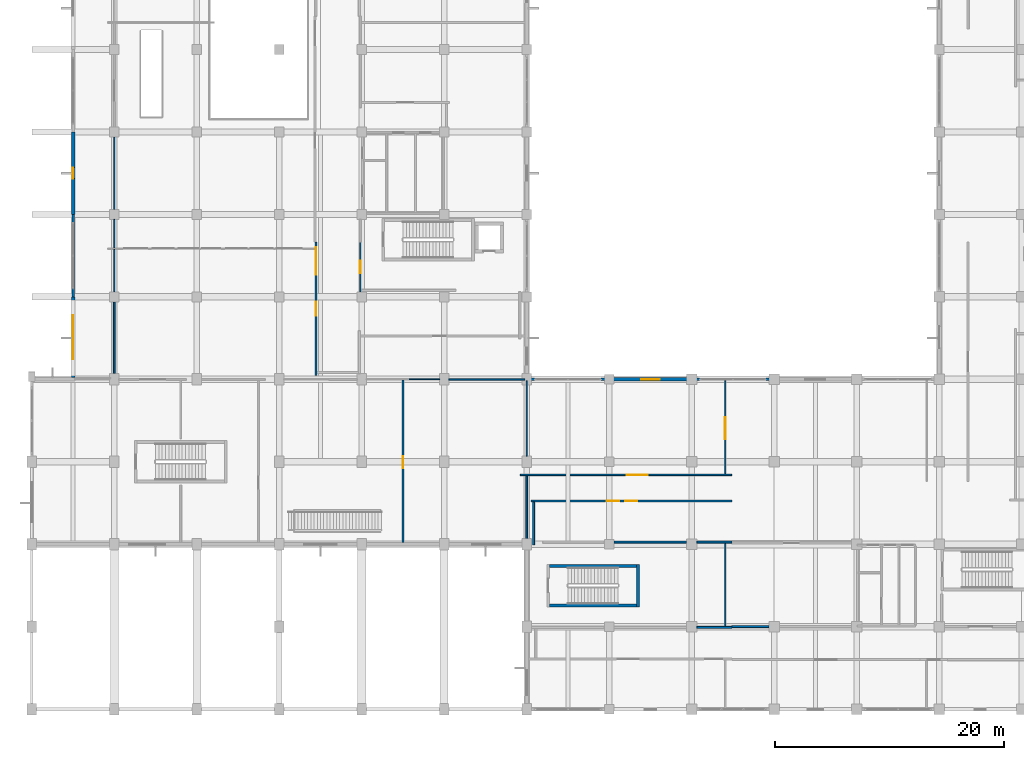
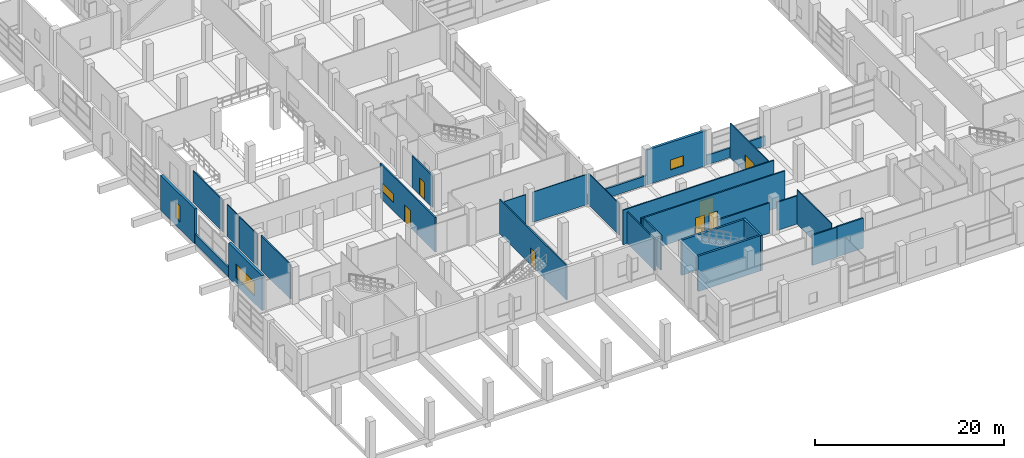
# One storey, part 155 of 181: 29 walls, 7 doors, 4 windows, 11 openings.
"""IFC4 building model written with IfcOpenShell, lengths in metres."""

from ifc_helpers import new_model, si_unit, direction, frame, frame_2d, origin, place, context, subcontext, project, spatial, rectangle, extrude, material, layer, layer_set, type_object, element, fill, save


model = new_model("IFC4")

# Units and contexts
model_context = context("Model", 3, precision=1e-05, world=origin(), true_north=direction((0.0, 1.0)))
body_context = subcontext(model_context, "Body", "Model", "MODEL_VIEW")
ifc_project = project(units=[si_unit("LENGTHUNIT", "METRE"), si_unit("AREAUNIT", "SQUARE_METRE"), si_unit("VOLUMEUNIT", "CUBIC_METRE"), si_unit("PLANEANGLEUNIT", "RADIAN"), si_unit("MASSUNIT", "GRAM", prefix="KILO")], contexts=[model_context])

# Site, building, storey
site_placement = place(None, origin())
site = spatial("IfcSite", under=ifc_project, at=site_placement, CompositionType="ELEMENT")
building_placement = place(site_placement, origin())
building = spatial("IfcBuilding", under=site, at=building_placement, Name="Seraya Terrace Polytechnic", CompositionType="ELEMENT")
storey_placement = place(building_placement, frame((0.0, 0.0, 4.800048828125)))
storey = spatial("IfcBuildingStorey", under=building, at=storey_placement, Name="L01", CompositionType="ELEMENT", Elevation=4.800048828125)

# Wall, opening, window
ifc_material_1 = material(Name="Concrete C40/50", Category="concrete")
ifc_layer_1 = layer(ifc_material_1, 0.300048828125, Name="EW-01")
ifc_layer_set_1 = layer_set([ifc_layer_1], Name="Concrete C40/50")
wall_type_1 = type_object("IfcWallType", Name="EW-01", PredefinedType="SOLIDWALL", material=ifc_layer_set_1)
wall_1_placement = place(storey_placement, frame((3.60009765625, 28.966064453125, 0.0), z_axis=(0.0, 0.0, 1.0), x_axis=(0.0, 1.0, 0.0)))
wall_1 = element("IfcWall", 1, at=wall_1_placement, inside=storey, type_object=wall_type_1, Name="Exterior structural wall EW-01 L01", PredefinedType="SOLIDWALL", context=body_context, shape_type="SweptSolid", body=[
    extrude(rectangle(XDim=7.033935546875, YDim=0.300048828125, at=frame_2d((3.51708984375, 0.0))), origin(), (0.0, 0.0, 1.0), 4.52001953125),
])
opening_1_placement = place(wall_1_placement, frame((1.592041015625, 0.0, 0.949951171875)))
opening_1 = element("IfcOpeningElement", 2, at=opening_1_placement, cuts=wall_1, Name="Opening WN-36", PredefinedType="OPENING", context=body_context, shape_type="SweptSolid", body=[
    extrude(rectangle(XDim=3.85009765625, YDim=1.800048828125, at=frame_2d((1.925048828125, 0.89990234375))), frame((0.0, 0.162109375, 0.0), z_axis=(0.0, -1.0, 0.0), x_axis=(1.0, 0.0, 0.0)), (0.0, 0.0, 1.0), 0.323974609375),
])
ifc_material_2 = material(Name="Laminated solar-control Low-E double glazing", Category="glass")
window_type_1 = type_object("IfcWindowType", Name="WN-36", PartitioningType="SINGLE_PANEL", PredefinedType="WINDOW", material=ifc_material_2)
window_1_placement = place(opening_1_placement, origin())
window_1 = element("IfcWindow", 3, at=window_1_placement, inside=storey, type_object=window_type_1, Name="Exterior window WN-36 L01", OverallHeight=1.800048828125, OverallWidth=3.85009765625, PartitioningType="SINGLE_PANEL", PredefinedType="WINDOW", context=body_context, shape_type="SweptSolid", body=[
    extrude(rectangle(XDim=3.85009765625, YDim=1.800048828125, at=frame_2d((1.925048828125, 0.89990234375))), frame((0.0, 0.030029296875, 0.0), z_axis=(0.0, -1.0, 0.0), x_axis=(1.0, 0.0, 0.0)), (0.0, 0.0, 1.0), 0.06005859375),
])
fill(opening_1, window_1)

wall_2_placement = place(storey_placement, frame((3.60009765625, 43.199951171875, 0.0), z_axis=(0.0, 0.0, 1.0), x_axis=(0.0, 1.0, 0.0)))
wall_2 = element("IfcWall", 4, at=wall_2_placement, inside=storey, type_object=wall_type_1, Name="Exterior structural wall EW-01 L01", PredefinedType="SOLIDWALL", context=body_context, shape_type="SweptSolid", body=[
    extrude(rectangle(XDim=7.199951171875, YDim=0.300048828125, at=frame_2d((3.60009765625, 0.0))), origin(), (0.0, 0.0, 1.0), 4.52001953125),
])
opening_2_placement = place(wall_2_placement, frame((3.125, 0.0, 0.949951171875)))
opening_2 = element("IfcOpeningElement", 5, at=opening_2_placement, cuts=wall_2, Name="Opening WN-37", PredefinedType="OPENING", context=body_context, shape_type="SweptSolid", body=[
    extrude(rectangle(XDim=0.949951171875, YDim=2.050048828125, at=frame_2d((0.47509765625, 1.02490234375))), frame((0.0, 0.162109375, 0.0), z_axis=(0.0, -1.0, 0.0), x_axis=(1.0, 0.0, 0.0)), (0.0, 0.0, 1.0), 0.323974609375),
])
window_type_2 = type_object("IfcWindowType", Name="WN-37", PartitioningType="SINGLE_PANEL", PredefinedType="WINDOW", material=ifc_material_2)
window_2_placement = place(opening_2_placement, origin())
window_2 = element("IfcWindow", 6, at=window_2_placement, inside=storey, type_object=window_type_2, Name="Exterior window WN-37 L01", OverallHeight=2.050048828125, OverallWidth=0.949951171875, PartitioningType="SINGLE_PANEL", PredefinedType="WINDOW", context=body_context, shape_type="SweptSolid", body=[
    extrude(rectangle(XDim=0.949951171875, YDim=2.050048828125, at=frame_2d((0.47509765625, 1.02490234375))), frame((0.0, 0.030029296875, 0.0), z_axis=(0.0, -1.0, 0.0), x_axis=(1.0, 0.0, 0.0)), (0.0, 0.0, 1.0), 0.06005859375),
])
fill(opening_2, window_2)

wall_3_placement = place(storey_placement, frame((50.39990234375, 28.800048828125, 0.0), z_axis=(0.0, 0.0, 1.0), x_axis=(1.0, 0.0, 0.0)))
wall_3 = element("IfcWall", 7, at=wall_3_placement, inside=storey, type_object=wall_type_1, Name="Exterior structural wall EW-01 L01", PredefinedType="SOLIDWALL", context=body_context, shape_type="SweptSolid", body=[
    extrude(rectangle(XDim=7.2001953125, YDim=0.300048828125, at=frame_2d((3.60009765625, 0.0))), origin(), (0.0, 0.0, 1.0), 4.52001953125),
])
opening_3_placement = place(wall_3_placement, frame((2.800048828125, 0.0, 0.949951171875)))
opening_3 = element("IfcOpeningElement", 8, at=opening_3_placement, cuts=wall_3, Name="Opening WN-05", PredefinedType="OPENING", context=body_context, shape_type="SweptSolid", body=[
    extrude(rectangle(XDim=1.60009765625, YDim=1.300048828125, at=frame_2d((0.800048828125, 0.64990234375))), frame((0.0, 0.162109375, 0.0), z_axis=(0.0, -1.0, 0.0), x_axis=(1.0, 0.0, 0.0)), (0.0, 0.0, 1.0), 0.323974609375),
])
window_type_3 = type_object("IfcWindowType", Name="WN-05", PartitioningType="SINGLE_PANEL", PredefinedType="WINDOW", material=ifc_material_2)
window_3_placement = place(opening_3_placement, origin())
window_3 = element("IfcWindow", 9, at=window_3_placement, inside=storey, type_object=window_type_3, Name="Exterior window WN-05 L01", OverallHeight=1.300048828125, OverallWidth=1.60009765625, PartitioningType="SINGLE_PANEL", PredefinedType="WINDOW", context=body_context, shape_type="SweptSolid", body=[
    extrude(rectangle(XDim=1.60009765625, YDim=1.300048828125, at=frame_2d((0.800048828125, 0.64990234375))), frame((0.0, 0.030029296875, 0.0), z_axis=(0.0, -1.0, 0.0), x_axis=(1.0, 0.0, 0.0)), (0.0, 0.0, 1.0), 0.06005859375),
])
fill(opening_3, window_3)

# Walls
ifc_material_3 = material(Name="Precast concrete C40/50", Category="concrete")
ifc_layer_2 = layer(ifc_material_3, 0.219970703125, Name="EW-05")
ifc_layer_set_2 = layer_set([ifc_layer_2], Name="Precast concrete C40/50")
wall_type_2 = type_object("IfcWallType", Name="EW-05", PredefinedType="SOLIDWALL", material=ifc_layer_set_2)
wall_4_placement = place(storey_placement, frame((3.60009765625, 36.0, 0.0), z_axis=(0.0, 0.0, 1.0), x_axis=(0.0, 1.0, 0.0)))
element("IfcWall", 10, at=wall_4_placement, inside=storey, type_object=wall_type_2, Name="Precast spandrel wall L01", PredefinedType="SOLIDWALL", context=body_context, shape_type="SweptSolid", body=[
    extrude(rectangle(XDim=7.199951171875, YDim=0.219970703125, at=frame_2d((3.60009765625, 0.0))), origin(), (0.0, 0.0, 1.0), 1.239990234375),
])
wall_5_placement = place(storey_placement, frame((43.050048828125, 28.800048828125, 0.0), z_axis=(0.0, 0.0, 1.0), x_axis=(1.0, 0.0, 0.0)))
element("IfcWall", 11, at=wall_5_placement, inside=storey, type_object=wall_type_2, Name="Precast spandrel wall L01", PredefinedType="SOLIDWALL", context=body_context, shape_type="SweptSolid", body=[
    extrude(rectangle(XDim=7.349853515625, YDim=0.219970703125, at=frame_2d((3.6748046875, 0.0))), origin(), (0.0, 0.0, 1.0), 1.239990234375),
])
wall_6_placement = place(storey_placement, frame((57.60009765625, 28.800048828125, 0.0), z_axis=(0.0, 0.0, 1.0), x_axis=(1.0, 0.0, 0.0)))
element("IfcWall", 12, at=wall_6_placement, inside=storey, type_object=wall_type_2, Name="Precast spandrel wall L01", PredefinedType="SOLIDWALL", context=body_context, shape_type="SweptSolid", body=[
    extrude(rectangle(XDim=7.199951171875, YDim=0.219970703125, at=frame_2d((3.60009765625, 0.0))), origin(), (0.0, 0.0, 1.0), 1.239990234375),
])

# Wall, openings, doors
ifc_material_4 = material(Name="Autoclaved aerated concrete blockwork", Category="masonry")
ifc_layer_3 = layer(ifc_material_4, 0.169921875, Name="PT-02")
ifc_layer_set_3 = layer_set([ifc_layer_3], Name="Autoclaved aerated concrete blockwork")
wall_type_3 = type_object("IfcWallType", Name="PT-02", PredefinedType="PARTITIONING", material=ifc_layer_set_3)
wall_7_placement = place(storey_placement, frame((43.56005859375, 18.199951171875, 0.0), z_axis=(0.0, 0.0, 1.0), x_axis=(1.0, 0.0, 0.0)))
wall_7 = element("IfcWall", 13, at=wall_7_placement, inside=storey, type_object=wall_type_3, Name="Internal partition PT-02 L01", PredefinedType="PARTITIONING", context=body_context, shape_type="SweptSolid", body=[
    extrude(rectangle(XDim=17.5380859375, YDim=0.169921875, at=frame_2d((8.76904296875, 0.0))), origin(), (0.0, 0.0, 1.0), 4.4599609375),
])
opening_4_placement = place(wall_7_placement, frame((8.2490234375, 0.0, 0.0)))
opening_4 = element("IfcOpeningElement", 14, at=opening_4_placement, cuts=wall_7, Name="Opening ID-04", PredefinedType="OPENING", context=body_context, shape_type="SweptSolid", body=[
    extrude(rectangle(XDim=1.0400390625, YDim=2.179931640625, at=frame_2d((0.52001953125, 1.08984375))), frame((0.0, 0.096923828125, 0.0), z_axis=(0.0, -1.0, 0.0), x_axis=(1.0, 0.0, 0.0)), (0.0, 0.0, 1.0), 0.19384765625),
])
opening_5_placement = place(wall_7_placement, frame((6.629150390625, 0.0, 0.0)))
opening_5 = element("IfcOpeningElement", 15, at=opening_5_placement, cuts=wall_7, Name="Opening ID-05", PredefinedType="OPENING", context=body_context, shape_type="SweptSolid", body=[
    extrude(rectangle(XDim=1.080078125, YDim=2.199951171875, at=frame_2d((0.5400390625, 1.10009765625))), frame((0.0, 0.096923828125, 0.0), z_axis=(0.0, -1.0, 0.0), x_axis=(1.0, 0.0, 0.0)), (0.0, 0.0, 1.0), 0.19384765625),
])
ifc_material_5 = material(Name="Malaysian dark red meranti hardwood timber D40", Category="wood")
door_type_1 = type_object("IfcDoorType", Name="ID-04", OperationType="NOTDEFINED", PredefinedType="DOOR", material=ifc_material_5)
door_1_placement = place(opening_4_placement, frame((1.0400390625, 0.0, 0.0), z_axis=(0.0, 0.0, 1.0), x_axis=(-1.0, 0.0, 0.0)))
door_1 = element("IfcDoor", 16, at=door_1_placement, inside=storey, type_object=door_type_1, Name="Door ID-04 DR-INT-L01-0129 in WL-INT-L01-0243", OperationType="SINGLE_SWING_RIGHT", OverallHeight=2.179931640625, OverallWidth=1.0400390625, PredefinedType="DOOR", context=body_context, shape_type="SweptSolid", body=[
    extrude(rectangle(XDim=1.0400390625, YDim=2.179931640625, at=frame_2d((0.52001953125, 1.08984375))), frame((0.0, 0.02490234375, 0.0), z_axis=(0.0, -1.0, 0.0), x_axis=(1.0, 0.0, 0.0)), (0.0, 0.0, 1.0), 0.050048828125),
])
fill(opening_4, door_1)
door_type_2 = type_object("IfcDoorType", Name="ID-05", OperationType="NOTDEFINED", PredefinedType="DOOR", material=ifc_material_5)
door_2_placement = place(opening_5_placement, origin())
door_2 = element("IfcDoor", 17, at=door_2_placement, inside=storey, type_object=door_type_2, Name="Door ID-05 DR-INT-L01-0130 in WL-INT-L01-0243", OperationType="SINGLE_SWING_LEFT", OverallHeight=2.199951171875, OverallWidth=1.080078125, PredefinedType="DOOR", context=body_context, shape_type="SweptSolid", body=[
    extrude(rectangle(XDim=1.080078125, YDim=2.199951171875, at=frame_2d((0.5400390625, 1.10009765625))), frame((0.0, 0.02490234375, 0.0), z_axis=(0.0, -1.0, 0.0), x_axis=(1.0, 0.0, 0.0)), (0.0, 0.0, 1.0), 0.050048828125),
])
fill(opening_5, door_2)

# Walls
wall_8_placement = place(storey_placement, frame((50.8349609375, 14.60009765625, 0.0), z_axis=(0.0, 0.0, 1.0), x_axis=(1.0, 0.0, 0.0)))
element("IfcWall", 18, at=wall_8_placement, inside=storey, type_object=wall_type_3, Name="Internal partition PT-02 L01", PredefinedType="PARTITIONING", context=body_context, shape_type="SweptSolid", body=[
    extrude(rectangle(XDim=6.304931640625, YDim=0.169921875, at=frame_2d((3.15234375, 0.0))), origin(), (0.0, 0.0, 1.0), 3.89990234375),
])
wall_9_placement = place(storey_placement, frame((58.06005859375, 14.60009765625, 0.0), z_axis=(0.0, 0.0, 1.0), x_axis=(1.0, 0.0, 0.0)))
element("IfcWall", 19, at=wall_9_placement, inside=storey, type_object=wall_type_3, Name="Internal partition PT-02 L01", PredefinedType="PARTITIONING", context=body_context, shape_type="SweptSolid", body=[
    extrude(rectangle(XDim=3.0380859375, YDim=0.169921875, at=frame_2d((1.51904296875, 0.0))), origin(), (0.0, 0.0, 1.0), 3.6298828125),
])
wall_10_placement = place(storey_placement, frame((43.800048828125, 14.360107421875, 0.0), z_axis=(0.0, 0.0, 1.0), x_axis=(0.0, 1.0, 0.0)))
element("IfcWall", 20, at=wall_10_placement, inside=storey, type_object=wall_type_3, Name="Internal partition PT-02 L01", PredefinedType="PARTITIONING", context=body_context, shape_type="SweptSolid", body=[
    extrude(rectangle(XDim=3.739990234375, YDim=0.169921875, at=frame_2d((1.8701171875, 0.0))), origin(), (0.0, 0.0, 1.0), 4.4599609375),
])
wall_11_placement = place(storey_placement, frame((58.06005859375, 7.14990234375, 0.0), z_axis=(0.0, 0.0, 1.0), x_axis=(1.0, 0.0, 0.0)))
element("IfcWall", 21, at=wall_11_placement, inside=storey, type_object=wall_type_3, Name="Internal partition PT-02 L01", PredefinedType="PARTITIONING", context=body_context, shape_type="SweptSolid", body=[
    extrude(rectangle(XDim=3.0380859375, YDim=0.169921875, at=frame_2d((1.51904296875, 0.0))), origin(), (0.0, 0.0, 1.0), 3.89990234375),
])
wall_12_placement = place(storey_placement, frame((61.09814453125, 7.219970703125, 0.0), z_axis=(0.0, 0.0, 1.0), x_axis=(1.0, 0.0, 0.0)))
element("IfcWall", 22, at=wall_12_placement, inside=storey, type_object=wall_type_3, Name="Internal partition PT-02 L01", PredefinedType="PARTITIONING", context=body_context, shape_type="SweptSolid", body=[
    extrude(rectangle(XDim=3.241943359375, YDim=0.169921875, at=frame_2d((1.62109375, 0.0))), origin(), (0.0, 0.0, 1.0), 3.89990234375),
])

# Wall, openings, door, window
wall_13_placement = place(storey_placement, frame((24.800048828125, 29.159912109375, 0.0), z_axis=(0.0, 0.0, 1.0), x_axis=(0.0, 1.0, 0.0)))
wall_13 = element("IfcWall", 23, at=wall_13_placement, inside=storey, type_object=wall_type_3, Name="Internal partition PT-02 L01", PredefinedType="PARTITIONING", context=body_context, shape_type="SweptSolid", body=[
    extrude(rectangle(XDim=11.62158203125, YDim=0.169921875, at=frame_2d((5.810791015625, 0.0))), origin(), (0.0, 0.0, 1.0), 4.4599609375),
])
opening_6_placement = place(wall_13_placement, frame((5.20068359375, 0.0, 0.0)))
opening_6 = element("IfcOpeningElement", 24, at=opening_6_placement, cuts=wall_13, Name="Opening ID-07", PredefinedType="OPENING", context=body_context, shape_type="SweptSolid", body=[
    extrude(rectangle(XDim=1.219970703125, YDim=2.219970703125, at=frame_2d((0.60986328125, 1.10986328125))), frame((0.0, 0.096923828125, 0.0), z_axis=(0.0, -1.0, 0.0), x_axis=(1.0, 0.0, 0.0)), (0.0, 0.0, 1.0), 0.19384765625),
])
opening_7_placement = place(wall_13_placement, frame((8.771484375, 0.0, 1.050048828125)))
opening_7 = element("IfcOpeningElement", 25, at=opening_7_placement, cuts=wall_13, Name="Opening IW-04", PredefinedType="OPENING", context=body_context, shape_type="SweptSolid", body=[
    extrude(rectangle(XDim=2.39990234375, YDim=1.14990234375, at=frame_2d((1.199951171875, 0.574951171875))), frame((0.0, 0.096923828125, 0.0), z_axis=(0.0, -1.0, 0.0), x_axis=(1.0, 0.0, 0.0)), (0.0, 0.0, 1.0), 0.19384765625),
])
door_type_3 = type_object("IfcDoorType", Name="ID-07", OperationType="NOTDEFINED", PredefinedType="DOOR", material=ifc_material_5)
door_3_placement = place(opening_6_placement, origin())
door_3 = element("IfcDoor", 26, at=door_3_placement, inside=storey, type_object=door_type_3, Name="Door ID-07 DR-INT-L01-0084 in WL-INT-L01-0299", OperationType="SINGLE_SWING_LEFT", OverallHeight=2.219970703125, OverallWidth=1.219970703125, PredefinedType="DOOR", context=body_context, shape_type="SweptSolid", body=[
    extrude(rectangle(XDim=1.219970703125, YDim=2.219970703125, at=frame_2d((0.60986328125, 1.10986328125))), frame((0.0, 0.02490234375, 0.0), z_axis=(0.0, -1.0, 0.0), x_axis=(1.0, 0.0, 0.0)), (0.0, 0.0, 1.0), 0.050048828125),
])
fill(opening_6, door_3)
window_type_4 = type_object("IfcWindowType", Name="IW-04", PartitioningType="SINGLE_PANEL", PredefinedType="WINDOW", material=ifc_material_2)
window_4_placement = place(opening_7_placement, origin())
window_4 = element("IfcWindow", 27, at=window_4_placement, inside=storey, type_object=window_type_4, Name="Internal lab vision window IW-04 L01", OverallHeight=1.14990234375, OverallWidth=2.39990234375, PartitioningType="SINGLE_PANEL", PredefinedType="WINDOW", context=body_context, shape_type="SweptSolid", body=[
    extrude(rectangle(XDim=2.39990234375, YDim=1.14990234375, at=frame_2d((1.199951171875, 0.574951171875))), frame((0.0, 0.030029296875, 0.0), z_axis=(0.0, -1.0, 0.0), x_axis=(1.0, 0.0, 0.0)), (0.0, 0.0, 1.0), 0.06005859375),
])
fill(opening_7, window_4)

# Wall, opening, door
wall_14_placement = place(storey_placement, frame((28.669921875, 36.43505859375, 0.0), z_axis=(0.0, 0.0, 1.0), x_axis=(0.0, 1.0, 0.0)))
wall_14 = element("IfcWall", 28, at=wall_14_placement, inside=storey, type_object=wall_type_3, Name="Internal partition PT-02 L01", PredefinedType="PARTITIONING", context=body_context, shape_type="SweptSolid", body=[
    extrude(rectangle(XDim=4.3349609375, YDim=0.169921875, at=frame_2d((2.16748046875, 0.0))), origin(), (0.0, 0.0, 1.0), 4.079833984375),
])
opening_8_placement = place(wall_14_placement, frame((1.62744140625, 0.0, 0.0)))
opening_8 = element("IfcOpeningElement", 29, at=opening_8_placement, cuts=wall_14, Name="Opening ID-05", PredefinedType="OPENING", context=body_context, shape_type="SweptSolid", body=[
    extrude(rectangle(XDim=1.080078125, YDim=2.199951171875, at=frame_2d((0.5400390625, 1.10009765625))), frame((0.0, 0.096923828125, 0.0), z_axis=(0.0, -1.0, 0.0), x_axis=(1.0, 0.0, 0.0)), (0.0, 0.0, 1.0), 0.19384765625),
])
door_4_placement = place(opening_8_placement, origin())
door_4 = element("IfcDoor", 30, at=door_4_placement, inside=storey, type_object=door_type_2, Name="Door ID-05 DR-INT-L01-0098 in WL-INT-L01-0302", OperationType="SINGLE_SWING_LEFT", OverallHeight=2.199951171875, OverallWidth=1.080078125, PredefinedType="DOOR", context=body_context, shape_type="SweptSolid", body=[
    extrude(rectangle(XDim=1.080078125, YDim=2.199951171875, at=frame_2d((0.5400390625, 1.10009765625))), frame((0.0, 0.02490234375, 0.0), z_axis=(0.0, -1.0, 0.0), x_axis=(1.0, 0.0, 0.0)), (0.0, 0.0, 1.0), 0.050048828125),
])
fill(opening_8, door_4)

# Wall
ifc_layer_4 = layer(ifc_material_4, 0.14990234375, Name="PT-03")
ifc_layer_set_4 = layer_set([ifc_layer_4], Name="Autoclaved aerated concrete blockwork")
wall_type_4 = type_object("IfcWallType", Name="PT-03", PredefinedType="PARTITIONING", material=ifc_layer_set_4)
wall_15_placement = place(storey_placement, frame((7.199951171875, 29.31005859375, 0.0), z_axis=(0.0, 0.0, 1.0), x_axis=(0.0, 1.0, 0.0)))
element("IfcWall", 31, at=wall_15_placement, inside=storey, type_object=wall_type_4, Name="Internal partition PT-03 L01", PredefinedType="PARTITIONING", context=body_context, shape_type="SweptSolid", body=[
    extrude(rectangle(XDim=6.2548828125, YDim=0.14990234375, at=frame_2d((3.12744140625, 0.0))), origin(), (0.0, 0.0, 1.0), 4.4599609375),
])

# Wall, opening, door
wall_16_placement = place(storey_placement, frame((42.639892578125, 20.465087890625, 0.0), z_axis=(0.0, 0.0, 1.0), x_axis=(1.0, 0.0, 0.0)))
wall_16 = element("IfcWall", 32, at=wall_16_placement, inside=storey, type_object=wall_type_4, Name="Internal partition PT-03 L01", PredefinedType="PARTITIONING", context=body_context, shape_type="SweptSolid", body=[
    extrude(rectangle(XDim=18.44677734375, YDim=0.14990234375, at=frame_2d((9.223388671875, 0.0))), origin(), (0.0, 0.0, 1.0), 4.4599609375),
])
opening_9_placement = place(wall_16_placement, frame((9.303466796875, 0.0, 0.0)))
opening_9 = element("IfcOpeningElement", 33, at=opening_9_placement, cuts=wall_16, Name="Opening ID-15", PredefinedType="OPENING", context=body_context, shape_type="SweptSolid", body=[
    extrude(rectangle(XDim=1.840087890625, YDim=2.300048828125, at=frame_2d((0.919921875, 1.14990234375))), frame((0.0, 0.0869140625, 0.0), z_axis=(0.0, -1.0, 0.0), x_axis=(1.0, 0.0, 0.0)), (0.0, 0.0, 1.0), 0.173828125),
])
door_type_4 = type_object("IfcDoorType", Name="ID-15", OperationType="DOUBLE_DOOR_SINGLE_SWING", PredefinedType="DOOR", material=ifc_material_5)
door_5_placement = place(opening_9_placement, origin())
door_5 = element("IfcDoor", 34, at=door_5_placement, inside=storey, type_object=door_type_4, Name="Door ID-15 DR-INT-L01-0108 in WL-INT-L01-0352", OperationType="DOUBLE_DOOR_SINGLE_SWING", OverallHeight=2.300048828125, OverallWidth=1.840087890625, PredefinedType="DOOR", context=body_context, shape_type="SweptSolid", body=[
    extrude(rectangle(XDim=1.840087890625, YDim=2.300048828125, at=frame_2d((0.919921875, 1.14990234375))), frame((0.0, 0.02490234375, 0.0), z_axis=(0.0, -1.0, 0.0), x_axis=(1.0, 0.0, 0.0)), (0.0, 0.0, 1.0), 0.050048828125),
])
fill(opening_9, door_5)

# Wall
wall_17_placement = place(storey_placement, frame((43.199951171875, 14.576904296875, 0.0), z_axis=(0.0, 0.0, 1.0), x_axis=(0.0, 1.0, 0.0)))
element("IfcWall", 35, at=wall_17_placement, inside=storey, type_object=wall_type_4, Name="Internal partition PT-03 L01", PredefinedType="PARTITIONING", context=body_context, shape_type="SweptSolid", body=[
    extrude(rectangle(XDim=5.798095703125, YDim=0.14990234375, at=frame_2d((2.89892578125, 0.0))), origin(), (0.0, 0.0, 1.0), 4.079833984375),
])

# Wall, opening, door
wall_18_placement = place(storey_placement, frame((32.39990234375, 14.576904296875, 0.0), z_axis=(0.0, 0.0, 1.0), x_axis=(0.0, 1.0, 0.0)))
wall_18 = element("IfcWall", 36, at=wall_18_placement, inside=storey, type_object=wall_type_4, Name="Internal partition PT-03 L01", PredefinedType="PARTITIONING", context=body_context, shape_type="SweptSolid", body=[
    extrude(rectangle(XDim=14.158203125, YDim=0.14990234375, at=frame_2d((7.0791015625, 0.0))), origin(), (0.0, 0.0, 1.0), 4.4599609375),
])
opening_10_placement = place(wall_18_placement, frame((6.455078125, 0.0, 0.0)))
opening_10 = element("IfcOpeningElement", 37, at=opening_10_placement, cuts=wall_18, Name="Opening ID-05", PredefinedType="OPENING", context=body_context, shape_type="SweptSolid", body=[
    extrude(rectangle(XDim=1.080078125, YDim=2.199951171875, at=frame_2d((0.5400390625, 1.10009765625))), frame((0.0, 0.0869140625, 0.0), z_axis=(0.0, -1.0, 0.0), x_axis=(1.0, 0.0, 0.0)), (0.0, 0.0, 1.0), 0.173828125),
])
door_6_placement = place(opening_10_placement, origin())
door_6 = element("IfcDoor", 38, at=door_6_placement, inside=storey, type_object=door_type_2, Name="Door ID-05 DR-INT-L01-0114 in WL-INT-L01-0400", OperationType="SINGLE_SWING_LEFT", OverallHeight=2.199951171875, OverallWidth=1.080078125, PredefinedType="DOOR", context=body_context, shape_type="SweptSolid", body=[
    extrude(rectangle(XDim=1.080078125, YDim=2.199951171875, at=frame_2d((0.5400390625, 1.10009765625))), frame((0.0, 0.02490234375, 0.0), z_axis=(0.0, -1.0, 0.0), x_axis=(1.0, 0.0, 0.0)), (0.0, 0.0, 1.0), 0.050048828125),
])
fill(opening_10, door_6)

# Walls
ifc_layer_5 = layer(ifc_material_4, 0.1201171875, Name="PT-05")
ifc_layer_set_5 = layer_set([ifc_layer_5], Name="Autoclaved aerated concrete blockwork")
wall_type_5 = type_object("IfcWallType", Name="PT-05", PredefinedType="PARTITIONING", material=ifc_layer_set_5)
wall_19_placement = place(storey_placement, frame((7.199951171875, 36.43505859375, 0.0), z_axis=(0.0, 0.0, 1.0), x_axis=(0.0, 1.0, 0.0)))
element("IfcWall", 39, at=wall_19_placement, inside=storey, type_object=wall_type_5, Name="Internal partition PT-05 L01", PredefinedType="PARTITIONING", context=body_context, shape_type="SweptSolid", body=[
    extrude(rectangle(XDim=3.7099609375, YDim=0.1201171875, at=frame_2d((1.85498046875, 0.0))), origin(), (0.0, 0.0, 1.0), 4.079833984375),
])
wall_20_placement = place(storey_placement, frame((7.199951171875, 43.635009765625, 0.0), z_axis=(0.0, 0.0, 1.0), x_axis=(0.0, 1.0, 0.0)))
element("IfcWall", 40, at=wall_20_placement, inside=storey, type_object=wall_type_5, Name="Internal partition PT-05 L01", PredefinedType="PARTITIONING", context=body_context, shape_type="SweptSolid", body=[
    extrude(rectangle(XDim=6.330078125, YDim=0.1201171875, at=frame_2d((3.1650390625, 0.0))), origin(), (0.0, 0.0, 1.0), 4.079833984375),
])
wall_21_placement = place(storey_placement, frame((36.409912109375, 28.800048828125, 0.0), z_axis=(0.0, 0.0, 1.0), x_axis=(1.0, 0.0, 0.0)))
element("IfcWall", 41, at=wall_21_placement, inside=storey, type_object=wall_type_5, Name="Internal partition PT-05 L01", PredefinedType="PARTITIONING", context=body_context, shape_type="SweptSolid", body=[
    extrude(rectangle(XDim=6.628173828125, YDim=0.1201171875, at=frame_2d((3.31396484375, 0.0))), origin(), (0.0, 0.0, 1.0), 3.89990234375),
])

# Wall, opening, door
wall_22_placement = place(storey_placement, frame((60.526611328125, 20.554931640625, 0.0), z_axis=(0.0, 0.0, 1.0), x_axis=(0.0, 1.0, 0.0)))
wall_22 = element("IfcWall", 42, at=wall_22_placement, inside=storey, type_object=wall_type_5, Name="Internal partition PT-05 L01", PredefinedType="PARTITIONING", context=body_context, shape_type="SweptSolid", body=[
    extrude(rectangle(XDim=8.123046875, YDim=0.1201171875, at=frame_2d((4.0615234375, 0.0))), origin(), (0.0, 0.0, 1.0), 4.4599609375),
])
opening_11_placement = place(wall_22_placement, frame((3.017578125, 0.0, 0.0)))
opening_11 = element("IfcOpeningElement", 43, at=opening_11_placement, cuts=wall_22, Name="Opening ID-16", PredefinedType="OPENING", context=body_context, shape_type="SweptSolid", body=[
    extrude(rectangle(XDim=1.919921875, YDim=2.320068359375, at=frame_2d((0.9599609375, 1.16015625))), frame((0.0, 0.072021484375, 0.0), z_axis=(0.0, -1.0, 0.0), x_axis=(1.0, 0.0, 0.0)), (0.0, 0.0, 1.0), 0.14404296875),
])
door_type_5 = type_object("IfcDoorType", Name="ID-16", OperationType="DOUBLE_DOOR_SINGLE_SWING", PredefinedType="DOOR", material=ifc_material_5)
door_7_placement = place(opening_11_placement, frame((1.919921875, 0.0, 0.0), z_axis=(0.0, 0.0, 1.0), x_axis=(-1.0, 0.0, 0.0)))
door_7 = element("IfcDoor", 44, at=door_7_placement, inside=storey, type_object=door_type_5, Name="Door ID-16 DR-INT-L01-0109 in WL-INT-L01-0356", OperationType="DOUBLE_DOOR_SINGLE_SWING", OverallHeight=2.320068359375, OverallWidth=1.919921875, PredefinedType="DOOR", context=body_context, shape_type="SweptSolid", body=[
    extrude(rectangle(XDim=1.919921875, YDim=2.320068359375, at=frame_2d((0.9599609375, 1.16015625))), frame((0.0, 0.02490234375, 0.0), z_axis=(0.0, -1.0, 0.0), x_axis=(1.0, 0.0, 0.0)), (0.0, 0.0, 1.0), 0.050048828125),
])
fill(opening_11, door_7)

# Walls
ifc_layer_6 = layer(ifc_material_4, 0.10009765625, Name="PT-06")
ifc_layer_set_6 = layer_set([ifc_layer_6], Name="Autoclaved aerated concrete blockwork")
wall_type_6 = type_object("IfcWallType", Name="PT-06", PredefinedType="PARTITIONING", material=ifc_layer_set_6)
wall_23_placement = place(storey_placement, frame((7.199951171875, 40.27490234375, 0.0), z_axis=(0.0, 0.0, 1.0), x_axis=(0.0, 1.0, 0.0)))
element("IfcWall", 45, at=wall_23_placement, inside=storey, type_object=wall_type_6, Name="Internal partition PT-06 L01", PredefinedType="PARTITIONING", context=body_context, shape_type="SweptSolid", body=[
    extrude(rectangle(XDim=2.489990234375, YDim=0.10009765625, at=frame_2d((1.2451171875, 0.0))), origin(), (0.0, 0.0, 1.0), 4.079833984375),
])
wall_24_placement = place(storey_placement, frame((32.9599609375, 28.800048828125, 0.0), z_axis=(0.0, 0.0, 1.0), x_axis=(1.0, 0.0, 0.0)))
element("IfcWall", 46, at=wall_24_placement, inside=storey, type_object=wall_type_6, Name="Internal partition PT-06 L01", PredefinedType="PARTITIONING", context=body_context, shape_type="SweptSolid", body=[
    extrude(rectangle(XDim=2.630126953125, YDim=0.10009765625, at=frame_2d((1.31494140625, 0.0))), origin(), (0.0, 0.0, 1.0), 3.89990234375),
])
wall_25_placement = place(storey_placement, frame((60.526611328125, 7.25, 0.0), z_axis=(0.0, 0.0, 1.0), x_axis=(0.0, 1.0, 0.0)))
element("IfcWall", 47, at=wall_25_placement, inside=storey, type_object=wall_type_6, Name="Internal partition PT-06 L01", PredefinedType="PARTITIONING", context=body_context, shape_type="SweptSolid", body=[
    extrude(rectangle(XDim=7.25, YDim=0.10009765625, at=frame_2d((3.625, 0.0))), origin(), (0.0, 0.0, 1.0), 4.4599609375),
])
wall_26_placement = place(storey_placement, frame((43.199951171875, 22.110107421875, 0.0), z_axis=(0.0, 0.0, 1.0), x_axis=(0.0, 1.0, 0.0)))
element("IfcWall", 48, at=wall_26_placement, inside=storey, type_object=wall_type_6, Name="Internal partition PT-06 L01", PredefinedType="PARTITIONING", context=body_context, shape_type="SweptSolid", body=[
    extrude(rectangle(XDim=6.56787109375, YDim=0.10009765625, at=frame_2d((3.283935546875, 0.0))), origin(), (0.0, 0.0, 1.0), 4.079833984375),
])
ifc_layer_7 = layer(ifc_material_1, 0.25, Name="SW-02")
ifc_layer_set_7 = layer_set([ifc_layer_7], Name="Concrete C40/50")
wall_type_7 = type_object("IfcWallType", Name="SW-02", PredefinedType="SHEAR", material=ifc_layer_set_7)
wall_27_placement = place(storey_placement, frame((52.925048828125, 8.949951171875, 0.0), z_axis=(0.0, 0.0, 1.0), x_axis=(0.0, 1.0, 0.0)))
element("IfcWall", 49, at=wall_27_placement, inside=storey, type_object=wall_type_7, Name="Stairwell ST-03 East wall L01", PredefinedType="SHEAR", context=body_context, shape_type="SweptSolid", body=[
    extrude(rectangle(XDim=3.699951171875, YDim=0.25, at=frame_2d((1.85009765625, 0.0))), origin(), (0.0, 0.0, 1.0), 4.550048828125),
])
for number, where, z_axis, x_axis, name in (
    (50, (45.199951171875, 9.074951171875, 0.0), (0.0, 0.0, 1.0), (1.0, 0.0, 0.0), "Stairwell ST-03 South wall L01"),
    (51, (45.199951171875, 12.52490234375, 0.0), (0.0, 0.0, 1.0), (1.0, 0.0, 0.0), "Stairwell ST-03 North wall L01"),
):
    element("IfcWall", number, at=place(storey_placement, frame(where, z_axis=z_axis, x_axis=x_axis)), inside=storey, type_object=wall_type_7, Name=name, PredefinedType="SHEAR", context=body_context, shape_type="SweptSolid", body=[
        extrude(rectangle(XDim=7.60009765625, YDim=0.25, at=frame_2d((3.800048828125, 0.0))), origin(), (0.0, 0.0, 1.0), 4.550048828125),
    ])

save(model, "model.ifc")
